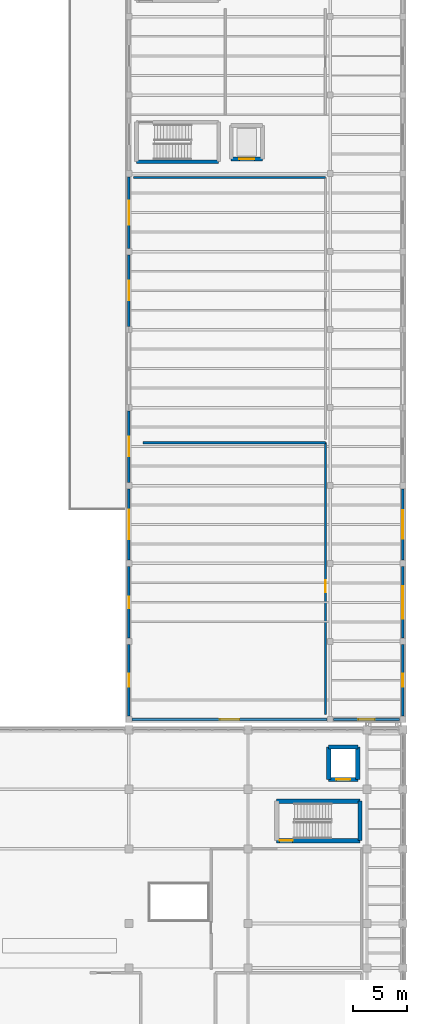
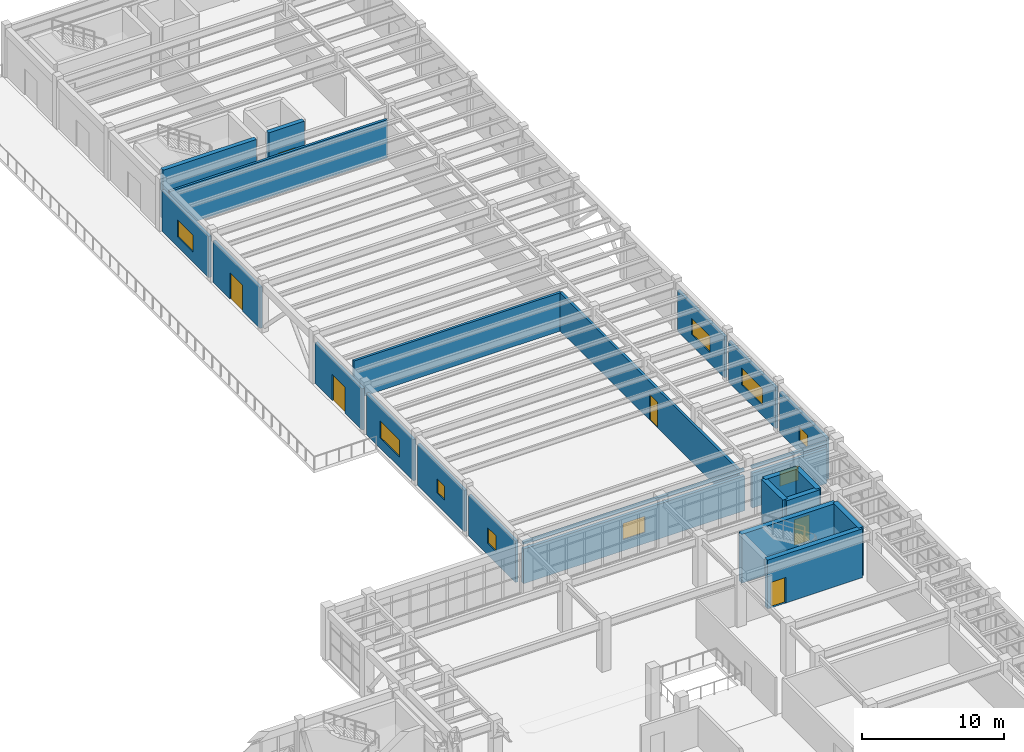
# One storey, part 71 of 85: 25 walls, 9 windows, 6 doors, 15 openings.
"""IFC4 building model written with IfcOpenShell, lengths in metres."""

from ifc_helpers import new_model, si_unit, direction, frame, frame_2d, origin, place, context, subcontext, project, spatial, rectangle, extrude, material, layer, layer_set, type_object, element, fill, save


model = new_model("IFC4")

# Units and contexts
model_context = context("Model", 3, precision=1e-05, world=origin(), true_north=direction((0.0, 1.0)))
body_context = subcontext(model_context, "Body", "Model", "MODEL_VIEW")
ifc_project = project(units=[si_unit("LENGTHUNIT", "METRE"), si_unit("AREAUNIT", "SQUARE_METRE"), si_unit("VOLUMEUNIT", "CUBIC_METRE"), si_unit("PLANEANGLEUNIT", "RADIAN"), si_unit("MASSUNIT", "GRAM", prefix="KILO")], contexts=[model_context])

# Site, building, storey
site_placement = place(None, origin())
site = spatial("IfcSite", under=ifc_project, at=site_placement, CompositionType="ELEMENT")
building_placement = place(site_placement, origin())
building = spatial("IfcBuilding", under=site, at=building_placement, Name="Candilejo Ridge Gondola Terminal", CompositionType="ELEMENT")
storey_placement = place(building_placement, frame((0.0, 0.0, 4.5)))
storey = spatial("IfcBuildingStorey", under=building, at=storey_placement, Name="L01", CompositionType="ELEMENT", Elevation=4.5)

# Walls
ifc_material_1 = material(Name="Concrete C20/25 masonry blockwork (f'm 14 MPa)", Category="masonry")
ifc_layer_1 = layer(ifc_material_1, 0.195068359375)
ifc_layer_set_1 = layer_set([ifc_layer_1], Name="ARC-EXT-WALL-195")
wall_type_1 = type_object("IfcWallType", Name="ARC-EXT-WALL-195", PredefinedType="STANDARD", material=ifc_layer_set_1)
wall_1_placement = place(storey_placement, frame((168.300048828125, 48.64990234375, 3.35009765625), z_axis=(0.0, 0.0, 1.0), x_axis=(-1.0, 0.0, 0.0)))
element("IfcWall", 1, at=wall_1_placement, inside=storey, type_object=wall_type_1, Name="Upper lintel spandrel wall V5 L01-112", PredefinedType="STANDARD", context=body_context, shape_type="SweptSolid", body=[
    extrude(rectangle(XDim=18.0, YDim=0.195068359375, at=frame_2d((9.0, 0.0))), origin(), (0.0, 0.0, 1.0), 0.22998046875),
])
wall_2_placement = place(storey_placement, frame((175.0, 48.64990234375, 3.35009765625), z_axis=(0.0, 0.0, 1.0), x_axis=(-1.0, 0.0, 0.0)))
element("IfcWall", 2, at=wall_2_placement, inside=storey, type_object=wall_type_1, Name="Upper lintel spandrel wall V5 L01-115", PredefinedType="STANDARD", context=body_context, shape_type="SweptSolid", body=[
    extrude(rectangle(XDim=6.10009765625, YDim=0.195068359375, at=frame_2d((3.050048828125, 0.0))), origin(), (0.0, 0.0, 1.0), 0.22998046875),
])

# Wall, opening, window
ifc_material_2 = material(Name="Concrete C20/25 masonry blockwork (f'm 14 MPa)", Category="masonry")
ifc_layer_2 = layer(ifc_material_2, 0.219970703125)
ifc_layer_set_2 = layer_set([ifc_layer_2], Name="ARC-EXT-WALL-220")
wall_type_2 = type_object("IfcWallType", Name="ARC-EXT-WALL-220", PredefinedType="STANDARD", material=ifc_layer_set_2)
wall_3_placement = place(storey_placement, frame((150.0, 48.949951171875, 0.0), z_axis=(0.0, 0.0, 1.0), x_axis=(0.0, 1.0, 0.0)))
wall_3 = element("IfcWall", 3, at=wall_3_placement, inside=storey, type_object=wall_type_2, Name="Exterior facade wall EW-V5-L01-117", PredefinedType="STANDARD", context=body_context, shape_type="SweptSolid", body=[
    extrude(rectangle(XDim=6.60009765625, YDim=0.219970703125, at=frame_2d((3.300048828125, 0.0))), origin(), (0.0, 0.0, 1.0), 3.544921875),
])
opening_1_placement = place(wall_3_placement, frame((2.699951171875, 0.0, 1.0)))
opening_1 = element("IfcOpeningElement", 4, at=opening_1_placement, cuts=wall_3, Name="Opening WN-04", PredefinedType="OPENING", context=body_context, shape_type="SweptSolid", body=[
    extrude(rectangle(XDim=1.199951171875, YDim=1.35009765625, at=frame_2d((0.60009765625, 0.675048828125))), frame((0.0, 0.119873046875, 0.0), z_axis=(0.0, -1.0, 0.0), x_axis=(1.0, 0.0, 0.0)), (0.0, 0.0, 1.0), 0.239990234375),
])
ifc_material_3 = material(Name="Low-E laminated double glazing 6+12A+6+1.52PVB+6 mm", Category="glass")
window_type_1 = type_object("IfcWindowType", Name="ARC-WIN-1200X1350", PartitioningType="SINGLE_PANEL", PredefinedType="WINDOW", material=ifc_material_3)
window_1_placement = place(opening_1_placement, origin())
window_1 = element("IfcWindow", 5, at=window_1_placement, inside=storey, type_object=window_type_1, Name="Window WIN-058", OverallHeight=1.35009765625, OverallWidth=1.199951171875, PartitioningType="SINGLE_PANEL", PredefinedType="WINDOW", context=body_context, shape_type="SweptSolid", body=[
    extrude(rectangle(XDim=1.199951171875, YDim=1.35009765625, at=frame_2d((0.60009765625, 0.675048828125))), frame((0.0, 0.030029296875, 0.0), z_axis=(0.0, -1.0, 0.0), x_axis=(1.0, 0.0, 0.0)), (0.0, 0.0, 1.0), 0.06005859375),
])
fill(opening_1, window_1)

wall_4_placement = place(storey_placement, frame((175.300048828125, 55.550048828125, 0.0), z_axis=(0.0, 0.0, 1.0), x_axis=(0.0, -1.0, 0.0)))
wall_4 = element("IfcWall", 6, at=wall_4_placement, inside=storey, type_object=wall_type_2, Name="Exterior facade wall EW-V5-L01-118", PredefinedType="STANDARD", context=body_context, shape_type="SweptSolid", body=[
    extrude(rectangle(XDim=6.60009765625, YDim=0.219970703125, at=frame_2d((3.300048828125, 0.0))), origin(), (0.0, 0.0, 1.0), 3.544921875),
])
opening_2_placement = place(wall_4_placement, frame((2.699951171875, 0.0, 1.050048828125)))
opening_2 = element("IfcOpeningElement", 7, at=opening_2_placement, cuts=wall_4, Name="Opening WN-04B", PredefinedType="OPENING", context=body_context, shape_type="SweptSolid", body=[
    extrude(rectangle(XDim=1.199951171875, YDim=1.14990234375, at=frame_2d((0.60009765625, 0.574951171875))), frame((0.0, 0.119873046875, 0.0), z_axis=(0.0, -1.0, 0.0), x_axis=(1.0, 0.0, 0.0)), (0.0, 0.0, 1.0), 0.239990234375),
])
ifc_material_4 = material(Name="Low-E laminated double glazing 6+12A+6+1.52PVB+6 mm", Category="glass")
window_type_2 = type_object("IfcWindowType", Name="ARC-WIN-1200X1150", PartitioningType="SINGLE_PANEL", PredefinedType="WINDOW", material=ifc_material_4)
window_2_placement = place(opening_2_placement, origin())
window_2 = element("IfcWindow", 8, at=window_2_placement, inside=storey, type_object=window_type_2, Name="Window WIN-059", OverallHeight=1.14990234375, OverallWidth=1.199951171875, PartitioningType="SINGLE_PANEL", PredefinedType="WINDOW", context=body_context, shape_type="SweptSolid", body=[
    extrude(rectangle(XDim=1.199951171875, YDim=1.14990234375, at=frame_2d((0.60009765625, 0.574951171875))), frame((0.0, 0.030029296875, 0.0), z_axis=(0.0, -1.0, 0.0), x_axis=(1.0, 0.0, 0.0)), (0.0, 0.0, 1.0), 0.06005859375),
])
fill(opening_2, window_2)

wall_5_placement = place(storey_placement, frame((150.0, 56.14990234375, 0.0), z_axis=(0.0, 0.0, 1.0), x_axis=(0.0, 1.0, 0.0)))
wall_5 = element("IfcWall", 9, at=wall_5_placement, inside=storey, type_object=wall_type_2, Name="Exterior facade wall EW-V5-L01-119", PredefinedType="STANDARD", context=body_context, shape_type="SweptSolid", body=[
    extrude(rectangle(XDim=6.60009765625, YDim=0.219970703125, at=frame_2d((3.300048828125, 0.0))), origin(), (0.0, 0.0, 1.0), 3.544921875),
])
opening_3_placement = place(wall_5_placement, frame((2.77490234375, 0.0, 1.02001953125)))
opening_3 = element("IfcOpeningElement", 10, at=opening_3_placement, cuts=wall_5, Name="Opening WN-04C", PredefinedType="OPENING", context=body_context, shape_type="SweptSolid", body=[
    extrude(rectangle(XDim=1.050048828125, YDim=1.199951171875, at=frame_2d((0.52490234375, 0.60009765625))), frame((0.0, 0.119873046875, 0.0), z_axis=(0.0, -1.0, 0.0), x_axis=(1.0, 0.0, 0.0)), (0.0, 0.0, 1.0), 0.239990234375),
])
ifc_material_5 = material(Name="Low-E laminated double glazing 6+12A+6+1.52PVB+6 mm", Category="glass")
window_type_3 = type_object("IfcWindowType", Name="ARC-WIN-1050X1200", PartitioningType="SINGLE_PANEL", PredefinedType="WINDOW", material=ifc_material_5)
window_3_placement = place(opening_3_placement, origin())
window_3 = element("IfcWindow", 11, at=window_3_placement, inside=storey, type_object=window_type_3, Name="Window WIN-060", OverallHeight=1.199951171875, OverallWidth=1.050048828125, PartitioningType="SINGLE_PANEL", PredefinedType="WINDOW", context=body_context, shape_type="SweptSolid", body=[
    extrude(rectangle(XDim=1.050048828125, YDim=1.199951171875, at=frame_2d((0.52490234375, 0.60009765625))), frame((0.0, 0.030029296875, 0.0), z_axis=(0.0, -1.0, 0.0), x_axis=(1.0, 0.0, 0.0)), (0.0, 0.0, 1.0), 0.06005859375),
])
fill(opening_3, window_3)

wall_6_placement = place(storey_placement, frame((175.300048828125, 62.75, 0.0), z_axis=(0.0, 0.0, 1.0), x_axis=(0.0, -1.0, 0.0)))
wall_6 = element("IfcWall", 12, at=wall_6_placement, inside=storey, type_object=wall_type_2, Name="Exterior facade wall EW-V5-L01-120", PredefinedType="STANDARD", context=body_context, shape_type="SweptSolid", body=[
    extrude(rectangle(XDim=6.60009765625, YDim=0.219970703125, at=frame_2d((3.300048828125, 0.0))), origin(), (0.0, 0.0, 1.0), 3.544921875),
])
opening_4_placement = place(wall_6_placement, frame((1.800048828125, 0.0, 0.8798828125)))
opening_4 = element("IfcOpeningElement", 13, at=opening_4_placement, cuts=wall_6, Name="Opening WN-05", PredefinedType="OPENING", context=body_context, shape_type="SweptSolid", body=[
    extrude(rectangle(XDim=3.0, YDim=1.449951171875, at=frame_2d((1.5, 0.72509765625))), frame((0.0, 0.119873046875, 0.0), z_axis=(0.0, -1.0, 0.0), x_axis=(1.0, 0.0, 0.0)), (0.0, 0.0, 1.0), 0.239990234375),
])
ifc_material_6 = material(Name="Low-E laminated double glazing 6+12A+6+1.52PVB+6 mm", Category="glass")
window_type_4 = type_object("IfcWindowType", Name="ARC-WIN-3000X1650", PartitioningType="SINGLE_PANEL", PredefinedType="WINDOW", material=ifc_material_6)
window_4_placement = place(opening_4_placement, origin())
window_4 = element("IfcWindow", 14, at=window_4_placement, inside=storey, type_object=window_type_4, Name="Window WIN-061", OverallHeight=1.449951171875, OverallWidth=3.0, PartitioningType="SINGLE_PANEL", PredefinedType="WINDOW", context=body_context, shape_type="SweptSolid", body=[
    extrude(rectangle(XDim=3.0, YDim=1.449951171875, at=frame_2d((1.5, 0.72509765625))), frame((0.0, 0.030029296875, 0.0), z_axis=(0.0, -1.0, 0.0), x_axis=(1.0, 0.0, 0.0)), (0.0, 0.0, 1.0), 0.06005859375),
])
fill(opening_4, window_4)

wall_7_placement = place(storey_placement, frame((150.0, 63.35009765625, 0.0), z_axis=(0.0, 0.0, 1.0), x_axis=(0.0, 1.0, 0.0)))
wall_7 = element("IfcWall", 15, at=wall_7_placement, inside=storey, type_object=wall_type_2, Name="Exterior facade wall EW-V5-L01-121", PredefinedType="STANDARD", context=body_context, shape_type="SweptSolid", body=[
    extrude(rectangle(XDim=6.599853515625, YDim=0.219970703125, at=frame_2d((3.2998046875, 0.0))), origin(), (0.0, 0.0, 1.0), 3.544921875),
])
opening_5_placement = place(wall_7_placement, frame((1.949951171875, 0.0, 0.8798828125)))
opening_5 = element("IfcOpeningElement", 16, at=opening_5_placement, cuts=wall_7, Name="Opening WN-05B", PredefinedType="OPENING", context=body_context, shape_type="SweptSolid", body=[
    extrude(rectangle(XDim=2.699951171875, YDim=1.449951171875, at=frame_2d((1.35009765625, 0.72509765625))), frame((0.0, 0.119873046875, 0.0), z_axis=(0.0, -1.0, 0.0), x_axis=(1.0, 0.0, 0.0)), (0.0, 0.0, 1.0), 0.239990234375),
])
ifc_material_7 = material(Name="Low-E laminated double glazing 6+12A+6+1.52PVB+6 mm", Category="glass")
window_type_5 = type_object("IfcWindowType", Name="ARC-WIN-2700X1550", PartitioningType="SINGLE_PANEL", PredefinedType="WINDOW", material=ifc_material_7)
window_5_placement = place(opening_5_placement, origin())
window_5 = element("IfcWindow", 17, at=window_5_placement, inside=storey, type_object=window_type_5, Name="Window WIN-062", OverallHeight=1.449951171875, OverallWidth=2.699951171875, PartitioningType="SINGLE_PANEL", PredefinedType="WINDOW", context=body_context, shape_type="SweptSolid", body=[
    extrude(rectangle(XDim=2.699951171875, YDim=1.449951171875, at=frame_2d((1.35009765625, 0.72509765625))), frame((0.0, 0.030029296875, 0.0), z_axis=(0.0, -1.0, 0.0), x_axis=(1.0, 0.0, 0.0)), (0.0, 0.0, 1.0), 0.06005859375),
])
fill(opening_5, window_5)

wall_8_placement = place(storey_placement, frame((175.300048828125, 69.949951171875, 0.0), z_axis=(0.0, 0.0, 1.0), x_axis=(0.0, -1.0, 0.0)))
wall_8 = element("IfcWall", 18, at=wall_8_placement, inside=storey, type_object=wall_type_2, Name="Exterior facade wall EW-V5-L01-122", PredefinedType="STANDARD", context=body_context, shape_type="SweptSolid", body=[
    extrude(rectangle(XDim=6.599853515625, YDim=0.219970703125, at=frame_2d((3.2998046875, 0.0))), origin(), (0.0, 0.0, 1.0), 3.544921875),
])
opening_6_placement = place(wall_8_placement, frame((2.0, 0.0, 0.949951171875)))
opening_6 = element("IfcOpeningElement", 19, at=opening_6_placement, cuts=wall_8, Name="Opening WN-05C", PredefinedType="OPENING", context=body_context, shape_type="SweptSolid", body=[
    extrude(rectangle(XDim=2.60009765625, YDim=1.39990234375, at=frame_2d((1.300048828125, 0.699951171875))), frame((0.0, 0.119873046875, 0.0), z_axis=(0.0, -1.0, 0.0), x_axis=(1.0, 0.0, 0.0)), (0.0, 0.0, 1.0), 0.239990234375),
])
ifc_material_8 = material(Name="Low-E laminated double glazing 6+12A+6+1.52PVB+6 mm", Category="glass")
window_type_6 = type_object("IfcWindowType", Name="ARC-WIN-2600X1400", PartitioningType="SINGLE_PANEL", PredefinedType="WINDOW", material=ifc_material_8)
window_6_placement = place(opening_6_placement, origin())
window_6 = element("IfcWindow", 20, at=window_6_placement, inside=storey, type_object=window_type_6, Name="Window WIN-063", OverallHeight=1.39990234375, OverallWidth=2.60009765625, PartitioningType="SINGLE_PANEL", PredefinedType="WINDOW", context=body_context, shape_type="SweptSolid", body=[
    extrude(rectangle(XDim=2.60009765625, YDim=1.39990234375, at=frame_2d((1.300048828125, 0.699951171875))), frame((0.0, 0.030029296875, 0.0), z_axis=(0.0, -1.0, 0.0), x_axis=(1.0, 0.0, 0.0)), (0.0, 0.0, 1.0), 0.06005859375),
])
fill(opening_6, window_6)

# Wall, opening, door
wall_9_placement = place(storey_placement, frame((150.0, 70.550048828125, 0.0), z_axis=(0.0, 0.0, 1.0), x_axis=(0.0, 1.0, 0.0)))
wall_9 = element("IfcWall", 21, at=wall_9_placement, inside=storey, type_object=wall_type_2, Name="Exterior facade wall EW-V5-L01-123", PredefinedType="STANDARD", context=body_context, shape_type="SweptSolid", body=[
    extrude(rectangle(XDim=6.599853515625, YDim=0.219970703125, at=frame_2d((3.2998046875, 0.0))), origin(), (0.0, 0.0, 1.0), 3.544921875),
])
opening_7_placement = place(wall_9_placement, frame((2.39990234375, 0.0, 0.0)))
opening_7 = element("IfcOpeningElement", 22, at=opening_7_placement, cuts=wall_9, Name="Opening ED-02", PredefinedType="OPENING", context=body_context, shape_type="SweptSolid", body=[
    extrude(rectangle(XDim=1.800048828125, YDim=2.25, at=frame_2d((0.89990234375, 1.125))), frame((0.0, 0.119873046875, 0.0), z_axis=(0.0, -1.0, 0.0), x_axis=(1.0, 0.0, 0.0)), (0.0, 0.0, 1.0), 0.239990234375),
])
ifc_material_9 = material(Name="Anodised aluminium AA 6063-T6", Category="aluminium")
door_type_1 = type_object("IfcDoorType", Name="ARC-DOOR-EXT-DBL-1800", OperationType="NOTDEFINED", PredefinedType="DOOR", material=ifc_material_9)
door_1_placement = place(opening_7_placement, origin())
door_1 = element("IfcDoor", 23, at=door_1_placement, inside=storey, type_object=door_type_1, Name="Exterior door EDR-020", OperationType="DOUBLE_DOOR_SINGLE_SWING", OverallHeight=2.25, OverallWidth=1.800048828125, PredefinedType="DOOR", context=body_context, shape_type="SweptSolid", body=[
    extrude(rectangle(XDim=1.800048828125, YDim=2.25, at=frame_2d((0.89990234375, 1.125))), frame((0.0, 0.02490234375, 0.0), z_axis=(0.0, -1.0, 0.0), x_axis=(1.0, 0.0, 0.0)), (0.0, 0.0, 1.0), 0.050048828125),
])
fill(opening_7, door_1)

wall_10_placement = place(storey_placement, frame((150.0, 84.949951171875, 0.0), z_axis=(0.0, 0.0, 1.0), x_axis=(0.0, 1.0, 0.0)))
wall_10 = element("IfcWall", 24, at=wall_10_placement, inside=storey, type_object=wall_type_2, Name="Exterior facade wall EW-V5-L01-125", PredefinedType="STANDARD", context=body_context, shape_type="SweptSolid", body=[
    extrude(rectangle(XDim=6.60009765625, YDim=0.219970703125, at=frame_2d((3.300048828125, 0.0))), origin(), (0.0, 0.0, 1.0), 3.544921875),
])
opening_8_placement = place(wall_10_placement, frame((2.39990234375, 0.0, 0.0)))
opening_8 = element("IfcOpeningElement", 25, at=opening_8_placement, cuts=wall_10, Name="Opening ED-02", PredefinedType="OPENING", context=body_context, shape_type="SweptSolid", body=[
    extrude(rectangle(XDim=1.800048828125, YDim=2.25, at=frame_2d((0.89990234375, 1.125))), frame((0.0, 0.119873046875, 0.0), z_axis=(0.0, -1.0, 0.0), x_axis=(1.0, 0.0, 0.0)), (0.0, 0.0, 1.0), 0.239990234375),
])
door_2_placement = place(opening_8_placement, origin())
door_2 = element("IfcDoor", 26, at=door_2_placement, inside=storey, type_object=door_type_1, Name="Exterior door EDR-021", OperationType="DOUBLE_DOOR_SINGLE_SWING", OverallHeight=2.25, OverallWidth=1.800048828125, PredefinedType="DOOR", context=body_context, shape_type="SweptSolid", body=[
    extrude(rectangle(XDim=1.800048828125, YDim=2.25, at=frame_2d((0.89990234375, 1.125))), frame((0.0, 0.02490234375, 0.0), z_axis=(0.0, -1.0, 0.0), x_axis=(1.0, 0.0, 0.0)), (0.0, 0.0, 1.0), 0.050048828125),
])
fill(opening_8, door_2)

# Wall, opening, window
wall_11_placement = place(storey_placement, frame((150.0, 92.14990234375, 0.0), z_axis=(0.0, 0.0, 1.0), x_axis=(0.0, 1.0, 0.0)))
wall_11 = element("IfcWall", 27, at=wall_11_placement, inside=storey, type_object=wall_type_2, Name="Exterior facade wall EW-V5-L01-127", PredefinedType="STANDARD", context=body_context, shape_type="SweptSolid", body=[
    extrude(rectangle(XDim=6.60009765625, YDim=0.219970703125, at=frame_2d((3.300048828125, 0.0))), origin(), (0.0, 0.0, 1.0), 3.544921875),
])
opening_9_placement = place(wall_11_placement, frame((2.199951171875, 0.0, 0.8798828125)))
opening_9 = element("IfcOpeningElement", 28, at=opening_9_placement, cuts=wall_11, Name="Opening WN-01B", PredefinedType="OPENING", context=body_context, shape_type="SweptSolid", body=[
    extrude(rectangle(XDim=2.199951171875, YDim=1.449951171875, at=frame_2d((1.10009765625, 0.72509765625))), frame((0.0, 0.119873046875, 0.0), z_axis=(0.0, -1.0, 0.0), x_axis=(1.0, 0.0, 0.0)), (0.0, 0.0, 1.0), 0.239990234375),
])
ifc_material_10 = material(Name="Low-E laminated double glazing 6+12A+6+1.52PVB+6 mm", Category="glass")
window_type_7 = type_object("IfcWindowType", Name="ARC-WIN-2200X1550", PartitioningType="SINGLE_PANEL", PredefinedType="WINDOW", material=ifc_material_10)
window_7_placement = place(opening_9_placement, origin())
window_7 = element("IfcWindow", 29, at=window_7_placement, inside=storey, type_object=window_type_7, Name="Window WIN-066", OverallHeight=1.449951171875, OverallWidth=2.199951171875, PartitioningType="SINGLE_PANEL", PredefinedType="WINDOW", context=body_context, shape_type="SweptSolid", body=[
    extrude(rectangle(XDim=2.199951171875, YDim=1.449951171875, at=frame_2d((1.10009765625, 0.72509765625))), frame((0.0, 0.030029296875, 0.0), z_axis=(0.0, -1.0, 0.0), x_axis=(1.0, 0.0, 0.0)), (0.0, 0.0, 1.0), 0.06005859375),
])
fill(opening_9, window_7)

ifc_material_11 = material(Name="Cream Guayaquil limestone ashlar masonry (f'm 14 MPa)", Category="masonry")
ifc_layer_3 = layer(ifc_material_11, 0.25)
ifc_layer_set_3 = layer_set([ifc_layer_3], Name="ARC-EXT-WALL-250")
wall_type_3 = type_object("IfcWallType", Name="ARC-EXT-WALL-250", PredefinedType="STANDARD", material=ifc_layer_set_3)
wall_12_placement = place(storey_placement, frame((168.300048828125, 48.64990234375, 0.0), z_axis=(0.0, 0.0, 1.0), x_axis=(-1.0, 0.0, 0.0)))
wall_12 = element("IfcWall", 30, at=wall_12_placement, inside=storey, type_object=wall_type_3, Name="Exterior facade wall EW-V5-L01-111", PredefinedType="STANDARD", context=body_context, shape_type="SweptSolid", body=[
    extrude(rectangle(XDim=18.0, YDim=0.25, at=frame_2d((9.0, 0.0))), origin(), (0.0, 0.0, 1.0), 2.985107421875),
])
opening_10_placement = place(wall_12_placement, frame((8.10009765625, 0.0, 0.949951171875)))
opening_10 = element("IfcOpeningElement", 31, at=opening_10_placement, cuts=wall_12, Name="Opening WN-02B", PredefinedType="OPENING", context=body_context, shape_type="SweptSolid", body=[
    extrude(rectangle(XDim=1.800048828125, YDim=1.39990234375, at=frame_2d((0.89990234375, 0.699951171875))), frame((0.0, 0.135009765625, 0.0), z_axis=(0.0, -1.0, 0.0), x_axis=(1.0, 0.0, 0.0)), (0.0, 0.0, 1.0), 0.27001953125),
])
ifc_material_12 = material(Name="Low-E laminated double glazing 6+12A+6+1.52PVB+6 mm", Category="glass")
window_type_8 = type_object("IfcWindowType", Name="ARC-WIN-1800X1400", PartitioningType="SINGLE_PANEL", PredefinedType="WINDOW", material=ifc_material_12)
window_8_placement = place(opening_10_placement, origin())
window_8 = element("IfcWindow", 32, at=window_8_placement, inside=storey, type_object=window_type_8, Name="Window WIN-054", OverallHeight=1.39990234375, OverallWidth=1.800048828125, PartitioningType="SINGLE_PANEL", PredefinedType="WINDOW", context=body_context, shape_type="SweptSolid", body=[
    extrude(rectangle(XDim=1.800048828125, YDim=1.39990234375, at=frame_2d((0.89990234375, 0.699951171875))), frame((0.0, 0.030029296875, 0.0), z_axis=(0.0, -1.0, 0.0), x_axis=(1.0, 0.0, 0.0)), (0.0, 0.0, 1.0), 0.06005859375),
])
fill(opening_10, window_8)

wall_13_placement = place(storey_placement, frame((175.0, 48.64990234375, 0.0), z_axis=(0.0, 0.0, 1.0), x_axis=(-1.0, 0.0, 0.0)))
wall_13 = element("IfcWall", 33, at=wall_13_placement, inside=storey, type_object=wall_type_3, Name="Exterior facade wall EW-V5-L01-114", PredefinedType="STANDARD", context=body_context, shape_type="SweptSolid", body=[
    extrude(rectangle(XDim=6.10009765625, YDim=0.25, at=frame_2d((3.050048828125, 0.0))), origin(), (0.0, 0.0, 1.0), 2.985107421875),
])
opening_11_placement = place(wall_13_placement, frame((2.300048828125, 0.0, 1.0)))
opening_11 = element("IfcOpeningElement", 34, at=opening_11_placement, cuts=wall_13, Name="Opening WN-03B", PredefinedType="OPENING", context=body_context, shape_type="SweptSolid", body=[
    extrude(rectangle(XDim=1.5, YDim=1.25, at=frame_2d((0.75, 0.625))), frame((0.0, 0.135009765625, 0.0), z_axis=(0.0, -1.0, 0.0), x_axis=(1.0, 0.0, 0.0)), (0.0, 0.0, 1.0), 0.27001953125),
])
ifc_material_13 = material(Name="Low-E laminated double glazing 6+12A+6+1.52PVB+6 mm", Category="glass")
window_type_9 = type_object("IfcWindowType", Name="ARC-WIN-1500X1250", PartitioningType="SINGLE_PANEL", PredefinedType="WINDOW", material=ifc_material_13)
window_9_placement = place(opening_11_placement, origin())
window_9 = element("IfcWindow", 35, at=window_9_placement, inside=storey, type_object=window_type_9, Name="Window WIN-056", OverallHeight=1.25, OverallWidth=1.5, PartitioningType="SINGLE_PANEL", PredefinedType="WINDOW", context=body_context, shape_type="SweptSolid", body=[
    extrude(rectangle(XDim=1.5, YDim=1.25, at=frame_2d((0.75, 0.625))), frame((0.0, 0.030029296875, 0.0), z_axis=(0.0, -1.0, 0.0), x_axis=(1.0, 0.0, 0.0)), (0.0, 0.0, 1.0), 0.06005859375),
])
fill(opening_11, window_9)

# Wall, opening, door
ifc_material_14 = material(Name="Concrete C20/25 masonry blockwork (f'm 14 MPa)", Category="masonry")
ifc_layer_4 = layer(ifc_material_14, 0.199951171875)
ifc_layer_set_4 = layer_set([ifc_layer_4], Name="ARC-WALL-CMU200-EI120")
wall_type_4 = type_object("IfcWallType", Name="ARC-WALL-CMU200-EI120", PredefinedType="SOLIDWALL", material=ifc_layer_set_4)
wall_14_placement = place(storey_placement, frame((168.14990234375, 49.10009765625, 0.0), z_axis=(0.0, 0.0, 1.0), x_axis=(0.0, 1.0, 0.0)))
wall_14 = element("IfcWall", 36, at=wall_14_placement, inside=storey, type_object=wall_type_4, Name="Interior partition PT-V5-L01-0065", PredefinedType="SOLIDWALL", context=body_context, shape_type="SweptSolid", body=[
    extrude(rectangle(XDim=25.099853515625, YDim=0.199951171875, at=frame_2d((12.5498046875, 0.0))), origin(), (0.0, 0.0, 1.0), 3.300048828125),
])
opening_12_placement = place(wall_14_placement, frame((11.300048828125, 0.0, 0.0)))
opening_12 = element("IfcOpeningElement", 37, at=opening_12_placement, cuts=wall_14, Name="Opening FD-02A", PredefinedType="OPENING", context=body_context, shape_type="SweptSolid", body=[
    extrude(rectangle(XDim=1.10009765625, YDim=2.199951171875, at=frame_2d((0.550048828125, 1.10009765625))), frame((0.0, 0.10986328125, 0.0), z_axis=(0.0, -1.0, 0.0), x_axis=(1.0, 0.0, 0.0)), (0.0, 0.0, 1.0), 0.219970703125),
])
ifc_material_15 = material(Name="Steel ASTM A653 Grade 33 hollow-metal door", Category="steel")
door_type_2 = type_object("IfcDoorType", Name="ARC-DOOR-FD60-1100", OperationType="NOTDEFINED", PredefinedType="DOOR", material=ifc_material_15)
door_3_placement = place(opening_12_placement, origin())
door_3 = element("IfcDoor", 38, at=door_3_placement, inside=storey, type_object=door_type_2, Name="Interior door IDR-0037 (124)", OperationType="SINGLE_SWING_LEFT", OverallHeight=2.199951171875, OverallWidth=1.10009765625, PredefinedType="DOOR", context=body_context, shape_type="SweptSolid", body=[
    extrude(rectangle(XDim=1.10009765625, YDim=2.199951171875, at=frame_2d((0.550048828125, 1.10009765625))), frame((0.0, 0.02490234375, 0.0), z_axis=(0.0, -1.0, 0.0), x_axis=(1.0, 0.0, 0.0)), (0.0, 0.0, 1.0), 0.050048828125),
])
fill(opening_12, door_3)

# Walls
wall_15_placement = place(storey_placement, frame((151.300048828125, 74.199951171875, 0.0), z_axis=(0.0, 0.0, 1.0), x_axis=(1.0, 0.0, 0.0)))
element("IfcWall", 39, at=wall_15_placement, inside=storey, type_object=wall_type_4, Name="Interior partition PT-V5-L01-0066", PredefinedType="SOLIDWALL", context=body_context, shape_type="SweptSolid", body=[
    extrude(rectangle(XDim=16.849853515625, YDim=0.199951171875, at=frame_2d((8.4248046875, 0.0))), origin(), (0.0, 0.0, 1.0), 3.300048828125),
])
wall_16_placement = place(storey_placement, frame((150.449951171875, 98.699951171875, 0.0), z_axis=(0.0, 0.0, 1.0), x_axis=(1.0, 0.0, 0.0)))
element("IfcWall", 40, at=wall_16_placement, inside=storey, type_object=wall_type_4, Name="Interior partition PT-V5-L01-0068", PredefinedType="SOLIDWALL", context=body_context, shape_type="SweptSolid", body=[
    extrude(rectangle(XDim=17.699951171875, YDim=0.199951171875, at=frame_2d((8.85009765625, 0.0))), origin(), (0.0, 0.0, 1.0), 3.300048828125),
])
ifc_material_16 = material(Name="Concrete f'c 35 MPa (C35/45)", Category="concrete")
ifc_layer_5 = layer(ifc_material_16, 0.35009765625)
ifc_layer_set_5 = layer_set([ifc_layer_5], Name="STR-CORE-WALL-350")
wall_type_5 = type_object("IfcWallType", Name="STR-CORE-WALL-350", PredefinedType="SHEAR", material=ifc_layer_set_5)
wall_17_placement = place(storey_placement, frame((158.300048828125, 100.14990234375, 0.0), z_axis=(0.0, 0.0, 1.0), x_axis=(-1.0, 0.0, 0.0)))
element("IfcWall", 41, at=wall_17_placement, inside=storey, type_object=wall_type_5, Name="Core stair shear wall SW-C-V5A-L01-ST-S", PredefinedType="SHEAR", context=body_context, shape_type="SweptSolid", body=[
    extrude(rectangle(XDim=7.60009765625, YDim=0.35009765625, at=frame_2d((3.800048828125, 0.0))), origin(), (0.0, 0.0, 1.0), 4.215087890625),
])

# Wall, opening, door
wall_18_placement = place(storey_placement, frame((159.449951171875, 100.39990234375, 0.0), z_axis=(0.0, 0.0, 1.0), x_axis=(1.0, 0.0, 0.0)))
wall_18 = element("IfcWall", 42, at=wall_18_placement, inside=storey, type_object=wall_type_5, Name="Lift shaft shear wall SW-C-V5A-L01-LF-S", PredefinedType="SHEAR", context=body_context, shape_type="SweptSolid", body=[
    extrude(rectangle(XDim=2.900146484375, YDim=0.35009765625, at=frame_2d((1.4501953125, 0.0))), origin(), (0.0, 0.0, 1.0), 4.215087890625),
])
opening_13_placement = place(wall_18_placement, frame((0.75, 0.0, 0.0)))
opening_13 = element("IfcOpeningElement", 43, at=opening_13_placement, cuts=wall_18, Name="Opening LD-02", PredefinedType="OPENING", context=body_context, shape_type="SweptSolid", body=[
    extrude(rectangle(XDim=1.39990234375, YDim=2.199951171875, at=frame_2d((0.699951171875, 1.10009765625))), frame((0.0, 0.18505859375, 0.0), z_axis=(0.0, -1.0, 0.0), x_axis=(1.0, 0.0, 0.0)), (0.0, 0.0, 1.0), 0.3701171875),
])
ifc_material_17 = material(Name="Brushed stainless steel AISI 316", Category="steel")
door_type_3 = type_object("IfcDoorType", Name="ARC-LIFT-DOOR-1400", OperationType="NOTDEFINED", PredefinedType="DOOR", material=ifc_material_17)
door_4_placement = place(opening_13_placement, origin())
door_4 = element("IfcDoor", 44, at=door_4_placement, inside=storey, type_object=door_type_3, Name="Elevator landing door LDR-033", OperationType="SLIDING_TO_LEFT", OverallHeight=2.199951171875, OverallWidth=1.39990234375, PredefinedType="DOOR", context=body_context, shape_type="SweptSolid", body=[
    extrude(rectangle(XDim=1.39990234375, YDim=2.199951171875, at=frame_2d((0.699951171875, 1.10009765625))), frame((0.0, 0.02490234375, 0.0), z_axis=(0.0, -1.0, 0.0), x_axis=(1.0, 0.0, 0.0)), (0.0, 0.0, 1.0), 0.050048828125),
])
fill(opening_13, door_4)

ifc_material_18 = material(Name="Concrete f'c 35 MPa (C35/45)", Category="concrete")
ifc_layer_6 = layer(ifc_material_18, 0.39990234375)
ifc_layer_set_6 = layer_set([ifc_layer_6], Name="STR-CORE-WALL-400")
wall_type_6 = type_object("IfcWallType", Name="STR-CORE-WALL-400", PredefinedType="SHEAR", material=ifc_layer_set_6)
wall_19_placement = place(storey_placement, frame((163.64990234375, 37.449951171875, 0.0), z_axis=(0.0, 0.0, 1.0), x_axis=(1.0, 0.0, 0.0)))
wall_19 = element("IfcWall", 45, at=wall_19_placement, inside=storey, type_object=wall_type_6, Name="Core stair shear wall SW-C-V4B-L01-ST-S", PredefinedType="SHEAR", context=body_context, shape_type="SweptSolid", body=[
    extrude(rectangle(XDim=7.7001953125, YDim=0.39990234375, at=frame_2d((3.85009765625, 0.0))), origin(), (0.0, 0.0, 1.0), 4.199951171875),
])
opening_14_placement = place(wall_19_placement, frame((0.280029296875, 0.0, 0.0)))
opening_14 = element("IfcOpeningElement", 46, at=opening_14_placement, cuts=wall_19, Name="Opening FD-01", PredefinedType="OPENING", context=body_context, shape_type="SweptSolid", body=[
    extrude(rectangle(XDim=1.199951171875, YDim=2.199951171875, at=frame_2d((0.60009765625, 1.10009765625))), frame((0.0, 0.2099609375, 0.0), z_axis=(0.0, -1.0, 0.0), x_axis=(1.0, 0.0, 0.0)), (0.0, 0.0, 1.0), 0.419921875),
])
ifc_material_19 = material(Name="Steel ASTM A653 Grade 33 hollow-metal door", Category="steel")
door_type_4 = type_object("IfcDoorType", Name="ARC-DOOR-FD90-1200", OperationType="NOTDEFINED", PredefinedType="DOOR", material=ifc_material_19)
door_5_placement = place(opening_14_placement, origin())
door_5 = element("IfcDoor", 47, at=door_5_placement, inside=storey, type_object=door_type_4, Name="Fire stair door SDR-030", OperationType="SINGLE_SWING_RIGHT", OverallHeight=2.199951171875, OverallWidth=1.199951171875, PredefinedType="DOOR", context=body_context, shape_type="SweptSolid", body=[
    extrude(rectangle(XDim=1.199951171875, YDim=2.199951171875, at=frame_2d((0.60009765625, 1.10009765625))), frame((0.0, 0.02490234375, 0.0), z_axis=(0.0, -1.0, 0.0), x_axis=(1.0, 0.0, 0.0)), (0.0, 0.0, 1.0), 0.050048828125),
])
fill(opening_14, door_5)

# Walls
wall_20_placement = place(storey_placement, frame((171.35009765625, 41.10009765625, 0.0), z_axis=(0.0, 0.0, 1.0), x_axis=(-1.0, 0.0, 0.0)))
element("IfcWall", 48, at=wall_20_placement, inside=storey, type_object=wall_type_6, Name="Core stair shear wall SW-C-V4B-L01-ST-N", PredefinedType="SHEAR", context=body_context, shape_type="SweptSolid", body=[
    extrude(rectangle(XDim=7.7001953125, YDim=0.39990234375, at=frame_2d((3.85009765625, 0.0))), origin(), (0.0, 0.0, 1.0), 4.199951171875),
])
wall_21_placement = place(storey_placement, frame((171.35009765625, 37.449951171875, 0.0), z_axis=(0.0, 0.0, 1.0), x_axis=(0.0, 1.0, 0.0)))
element("IfcWall", 49, at=wall_21_placement, inside=storey, type_object=wall_type_6, Name="Core stair shear wall SW-C-V4B-L01-ST-E", PredefinedType="SHEAR", context=body_context, shape_type="SweptSolid", body=[
    extrude(rectangle(XDim=3.650146484375, YDim=0.39990234375, at=frame_2d((1.8251953125, 0.0))), origin(), (0.0, 0.0, 1.0), 4.199951171875),
])

# Wall, opening, door
wall_22_placement = place(storey_placement, frame((168.449951171875, 43.10009765625, 0.0), z_axis=(0.0, 0.0, 1.0), x_axis=(1.0, 0.0, 0.0)))
wall_22 = element("IfcWall", 50, at=wall_22_placement, inside=storey, type_object=wall_type_6, Name="Lift shaft shear wall SW-C-V4B-L01-LF-S", PredefinedType="SHEAR", context=body_context, shape_type="SweptSolid", body=[
    extrude(rectangle(XDim=2.699951171875, YDim=0.39990234375, at=frame_2d((1.35009765625, 0.0))), origin(), (0.0, 0.0, 1.0), 4.199951171875),
])
opening_15_placement = place(wall_22_placement, frame((0.72509765625, 0.0, 0.0)))
opening_15 = element("IfcOpeningElement", 51, at=opening_15_placement, cuts=wall_22, Name="Opening LD-01B", PredefinedType="OPENING", context=body_context, shape_type="SweptSolid", body=[
    extrude(rectangle(XDim=1.25, YDim=2.199951171875, at=frame_2d((0.625, 1.10009765625))), frame((0.0, 0.2099609375, 0.0), z_axis=(0.0, -1.0, 0.0), x_axis=(1.0, 0.0, 0.0)), (0.0, 0.0, 1.0), 0.419921875),
])
ifc_material_20 = material(Name="Brushed stainless steel AISI 316", Category="steel")
door_type_5 = type_object("IfcDoorType", Name="ARC-LIFT-DOOR-1250", OperationType="NOTDEFINED", PredefinedType="DOOR", material=ifc_material_20)
door_6_placement = place(opening_15_placement, origin())
door_6 = element("IfcDoor", 52, at=door_6_placement, inside=storey, type_object=door_type_5, Name="Elevator landing door LDR-030", OperationType="SLIDING_TO_LEFT", OverallHeight=2.199951171875, OverallWidth=1.25, PredefinedType="DOOR", context=body_context, shape_type="SweptSolid", body=[
    extrude(rectangle(XDim=1.25, YDim=2.199951171875, at=frame_2d((0.625, 1.10009765625))), frame((0.0, 0.02490234375, 0.0), z_axis=(0.0, -1.0, 0.0), x_axis=(1.0, 0.0, 0.0)), (0.0, 0.0, 1.0), 0.050048828125),
])
fill(opening_15, door_6)

# Walls
wall_23_placement = place(storey_placement, frame((168.449951171875, 46.10009765625, 0.0), z_axis=(0.0, 0.0, 1.0), x_axis=(1.0, 0.0, 0.0)))
element("IfcWall", 53, at=wall_23_placement, inside=storey, type_object=wall_type_6, Name="Lift shaft shear wall SW-C-V4B-L01-LF-N", PredefinedType="SHEAR", context=body_context, shape_type="SweptSolid", body=[
    extrude(rectangle(XDim=2.699951171875, YDim=0.39990234375, at=frame_2d((1.35009765625, 0.0))), origin(), (0.0, 0.0, 1.0), 4.199951171875),
])
for number, where, z_axis, x_axis, name in (
    (54, (168.449951171875, 43.10009765625, 0.0), (0.0, 0.0, 1.0), (0.0, 1.0, 0.0), "Lift shaft shear wall SW-C-V4B-L01-LF-W"),
    (55, (171.14990234375, 43.10009765625, 0.0), (0.0, 0.0, 1.0), (0.0, 1.0, 0.0), "Lift shaft shear wall SW-C-V4B-L01-LF-E"),
):
    element("IfcWall", number, at=place(storey_placement, frame(where, z_axis=z_axis, x_axis=x_axis)), inside=storey, type_object=wall_type_6, Name=name, PredefinedType="SHEAR", context=body_context, shape_type="SweptSolid", body=[
        extrude(rectangle(XDim=3.0, YDim=0.39990234375, at=frame_2d((1.5, 0.0))), origin(), (0.0, 0.0, 1.0), 4.199951171875),
    ])

save(model, "model.ifc")
